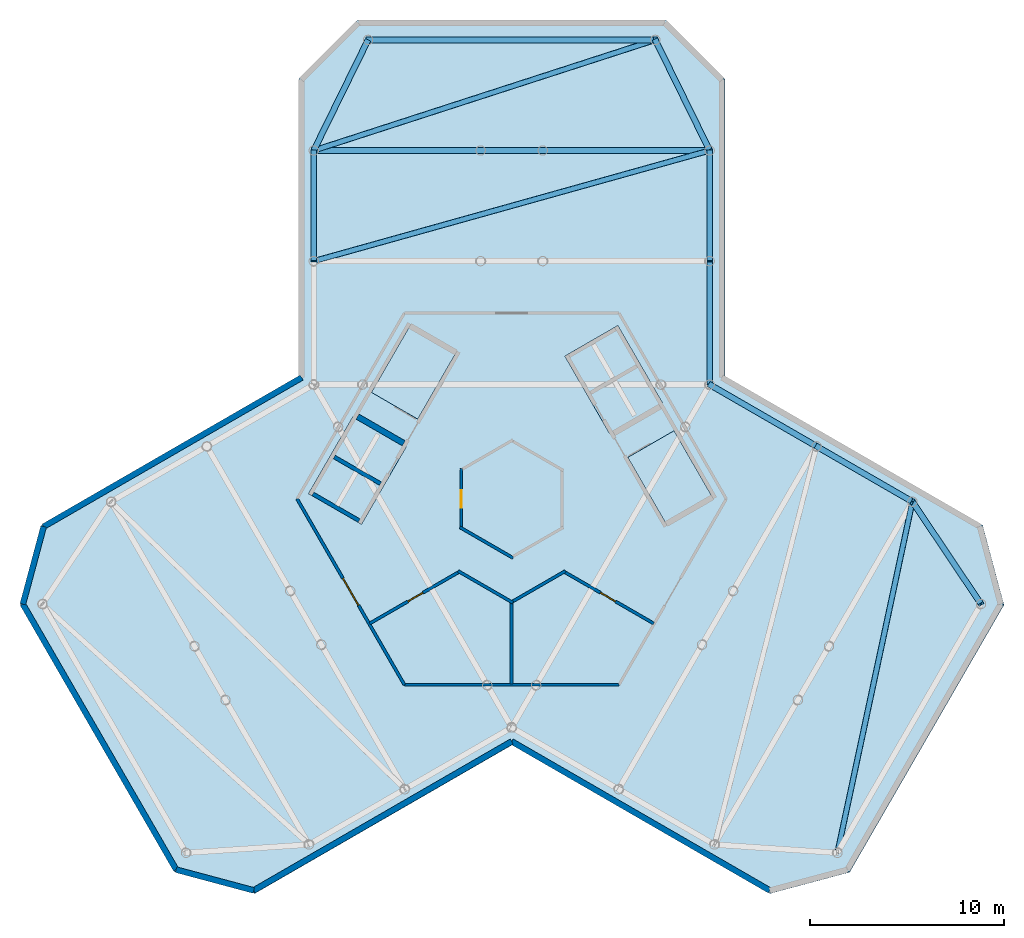
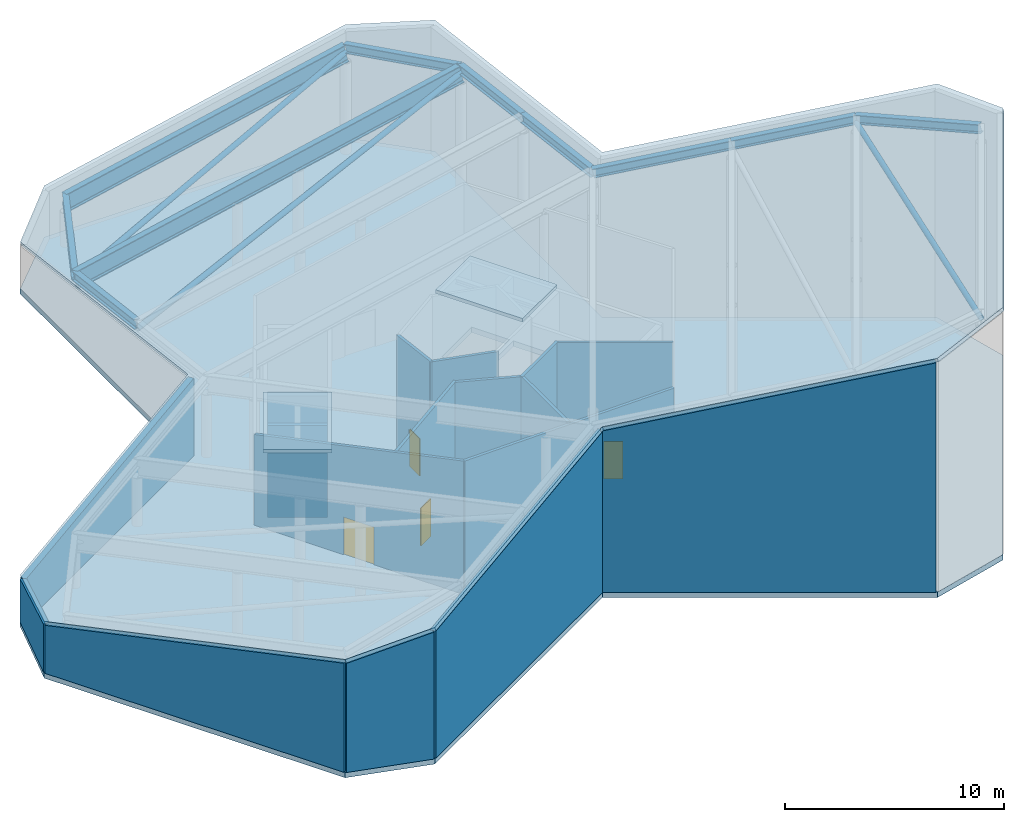
# One storey, part 2 of 5: 18 walls, 10 beams, 4 doors, 4 slabs, 3 members, 4 openings.
"""IFC4 building model written with IfcOpenShell, lengths in metres."""

import ifcopenshell
import ifcopenshell.guid

model = None  # the IFC model being written
_history = None  # IfcOwnerHistory: only IFC2X3 demands one
_inside = {}  # id of a spatial element -> (the spatial element, [elements in it])
_under = {}  # id of a project, library or spatial element -> (it, [spatial elements below it])
_declared = {}  # id of a project -> (the project, [libraries it declares])
_typed = {}  # id of a type object -> (the type object, [elements of that type])
_made_of = {}  # id of a material, layer set ... -> (it, [elements and type objects made of it])


def new_model(schema):
    """Start an empty IFC model of exactly this schema.

    Asked for "IFC4X3", IfcOpenShell would pick the latest addendum, in which some entities
    have other attributes; the version numbers below select the first issue.
    IFC2X3 requires an IfcOwnerHistory on every rooted entity: one is made here for all.
    """
    global model, _history
    if schema == "IFC4X3":
        model = ifcopenshell.file(schema_version=(4, 3, 0, 0))
    else:
        model = ifcopenshell.file(schema=schema)
    _inside.clear()
    _under.clear()
    _declared.clear()
    _typed.clear()
    _made_of.clear()
    _history = None
    if model.schema == "IFC2X3":
        org = make("IfcOrganization", Name="unknown")
        user = make(
            "IfcPersonAndOrganization",
            ThePerson=make("IfcPerson", FamilyName="unknown"),
            TheOrganization=org,
        )
        app = make(
            "IfcApplication",
            ApplicationDeveloper=org,
            Version="unknown",
            ApplicationFullName="unknown",
            ApplicationIdentifier="unknown",
        )
        _history = make(
            "IfcOwnerHistory",
            OwningUser=user,
            OwningApplication=app,
            ChangeAction="ADDED",
            CreationDate=0,
        )
    return model


def make(cls, **values):
    """One entity of the class cls with the attributes given. An attribute that is None is left unset."""
    return model.create_entity(
        cls, **{name: value for name, value in values.items() if value is not None}
    )


def rooted(cls, **values):
    """An entity with a GlobalId (a new one), such as an element, a storey or a relation."""
    return make(cls, GlobalId=ifcopenshell.guid.new(), OwnerHistory=_history, **values)


def si_unit(unit_type, name, prefix=None):
    """IfcSIUnit, for example si_unit("LENGTHUNIT", "METRE", prefix="MILLI")."""
    return make("IfcSIUnit", UnitType=unit_type, Prefix=prefix, Name=name)


def assignment(units):
    """IfcUnitAssignment: the units of a project."""
    return None if units is None else make("IfcUnitAssignment", Units=units)


def point(xyz):
    """IfcCartesianPoint."""
    return None if xyz is None else make("IfcCartesianPoint", Coordinates=xyz)


def direction(xyz):
    """IfcDirection."""
    return None if xyz is None else make("IfcDirection", DirectionRatios=xyz)


def frame(location, z_axis=None, x_axis=None):
    """IfcAxis2Placement3D, a coordinate frame: its origin and axes. An axis left out is left unset."""
    return make(
        "IfcAxis2Placement3D",
        Location=point(location),
        Axis=direction(z_axis),
        RefDirection=direction(x_axis),
    )


def frame_2d(location, x_axis=None):
    """IfcAxis2Placement2D, a coordinate frame in the plane: its origin and x axis."""
    return make(
        "IfcAxis2Placement2D", Location=point(location), RefDirection=direction(x_axis)
    )


def origin():
    """The frame at (0, 0, 0) with its axes left unset."""
    return frame((0.0, 0.0, 0.0))


def origin_2d():
    """The frame at (0, 0) in the plane with its x axis left unset."""
    return frame_2d((0.0, 0.0))


def place(relative_to, where):
    """IfcLocalPlacement: puts the frame where relative to a parent placement (None: the world)."""
    return make(
        "IfcLocalPlacement", PlacementRelTo=relative_to, RelativePlacement=where
    )


def context(
    kind, dimensions, precision=None, world=None, true_north=None, identifier=None
):
    """IfcGeometricRepresentationContext, for example the 3D "Model" context."""
    return make(
        "IfcGeometricRepresentationContext",
        ContextIdentifier=identifier,
        ContextType=kind,
        CoordinateSpaceDimension=dimensions,
        Precision=precision,
        WorldCoordinateSystem=world,
        TrueNorth=true_north,
    )


def subcontext(parent, identifier, kind, view, scale=None):
    """IfcGeometricRepresentationSubContext, for example "Body" below "Model"."""
    return make(
        "IfcGeometricRepresentationSubContext",
        ContextIdentifier=identifier,
        ContextType=kind,
        ParentContext=parent,
        TargetScale=scale,
        TargetView=view,
    )


def project(units=None, contexts=None):
    """IfcProject with its units and contexts."""
    return rooted(
        "IfcProject",
        Name="project",
        RepresentationContexts=contexts,
        UnitsInContext=assignment(units),
    )


def spatial(cls, under=None, at=None, **own):
    """A site, building, storey or space (cls), placed at a placement, below another one or the project."""
    s = rooted(cls, ObjectPlacement=at, **own)
    if under is not None:
        _under.setdefault(under.id(), (under, []))[1].append(s)
    return s


def polyline(points):
    """IfcPolyline through the points."""
    return make("IfcPolyline", Points=[point(p) for p in points])


def profile(cls, at=None, kind="AREA", **sizes):
    """A parametric profile (cls). Its sizes go by their IFC names, for example OverallWidth=200.0."""
    return make(cls, ProfileType=kind, Position=at, **sizes)


def rectangle(**sizes):
    """IfcRectangleProfileDef."""
    return profile("IfcRectangleProfileDef", **sizes)


def hollow_circle(**sizes):
    """IfcCircleHollowProfileDef."""
    return profile("IfcCircleHollowProfileDef", **sizes)


def i_section(**sizes):
    """IfcIShapeProfileDef."""
    return profile("IfcIShapeProfileDef", **sizes)


def outline(outer, holes=None, kind="AREA"):
    """IfcArbitraryClosedProfileDef: a profile drawn as a closed curve; with holes, ...WithVoids."""
    if holes is None:
        return make("IfcArbitraryClosedProfileDef", ProfileType=kind, OuterCurve=outer)
    return make(
        "IfcArbitraryProfileDefWithVoids",
        ProfileType=kind,
        OuterCurve=outer,
        InnerCurves=holes,
    )


def extrude(swept, where, along, depth):
    """IfcExtrudedAreaSolid: the profile swept, set in the frame where, extruded along a direction by depth."""
    return make(
        "IfcExtrudedAreaSolid",
        SweptArea=swept,
        Position=where,
        ExtrudedDirection=direction(along),
        Depth=depth,
    )


def shape(context_of_items, identifier, shape_type, items):
    """IfcShapeRepresentation: the items that make up one representation, for example the "Body"."""
    return make(
        "IfcShapeRepresentation",
        ContextOfItems=context_of_items,
        RepresentationIdentifier=identifier,
        RepresentationType=shape_type,
        Items=items,
    )


def material(Name=None, Category=None):
    """IfcMaterial."""
    return make("IfcMaterial", Name=Name, Category=Category)


def layer(
    of_material, thickness, ventilated=None, Name=None, Category=None, Priority=None
):
    """IfcMaterialLayer: one layer of a wall or slab, of a material (None: an air gap)."""
    return make(
        "IfcMaterialLayer",
        Material=of_material,
        LayerThickness=thickness,
        IsVentilated=ventilated,
        Name=Name,
        Category=Category,
        Priority=Priority,
    )


def layer_set(layers, Name=None):
    """IfcMaterialLayerSet."""
    return make("IfcMaterialLayerSet", MaterialLayers=layers, LayerSetName=Name)


def material_profile(
    of_material, cross_section, Name=None, Category=None, Priority=None
):
    """IfcMaterialProfile: a cross section and its material."""
    return make(
        "IfcMaterialProfile",
        Name=Name,
        Material=of_material,
        Profile=cross_section,
        Priority=Priority,
        Category=Category,
    )


def profile_set(profiles, Name=None, composite=None):
    """IfcMaterialProfileSet."""
    return make(
        "IfcMaterialProfileSet",
        Name=Name,
        MaterialProfiles=profiles,
        CompositeProfile=composite,
    )


def made_of(thing, what):
    """Note that an element or type object is made of a material, layer set ...; save() writes the relation."""
    if what is not None:
        _made_of.setdefault(what.id(), (what, []))[1].append(thing)
    return thing


def type_object(cls, material=None, **own):
    """A type object (cls), such as IfcWallType, which elements share."""
    return made_of(rooted(cls, **own), material)


def element(
    cls,
    number,
    at=None,
    inside=None,
    cuts=None,
    type_object=None,
    material=None,
    context=None,
    identifier="Body",
    shape_type=None,
    held_by="IfcProductDefinitionShape",
    body=None,
    shapes=None,
    **own,
):
    """One element of the class cls, such as IfcWall. Its Tag is "e" and its number.

    at: its placement. inside: the storey or other place that contains it. cuts: it is an
    opening in that element (IfcRelVoidsElement). A single representation is given by context,
    identifier, shape_type and body (its items); several are given by shapes. held_by: the class
    of the entity that holds the representations. save() writes the other relations.
    """
    e = rooted(cls, Tag="e%d" % number, ObjectPlacement=at, **own)
    if body is not None:
        shapes = [shape(context, identifier, shape_type, body)]
    if shapes is not None:
        e.Representation = make(held_by, Representations=shapes)
    if inside is not None:
        _inside.setdefault(inside.id(), (inside, []))[1].append(e)
    if cuts is not None:
        rooted(
            "IfcRelVoidsElement", RelatingBuildingElement=cuts, RelatedOpeningElement=e
        )
    if type_object is not None:
        _typed.setdefault(type_object.id(), (type_object, []))[1].append(e)
    return made_of(e, material)


def fill(opening, filler):
    """IfcRelFillsElement: the door or window that sits in an opening."""
    return rooted(
        "IfcRelFillsElement",
        RelatingOpeningElement=opening,
        RelatedBuildingElement=filler,
    )


def aggregate(whole, parts):
    """IfcRelAggregates: a whole, such as a stair, and the parts it consists of."""
    return rooted("IfcRelAggregates", RelatingObject=whole, RelatedObjects=parts)


def save(model, path):
    """Write the relations noted so far, then the file.

    IfcRelAggregates (storeys below a building ...), IfcRelContainedInSpatialStructure (elements
    in a storey), IfcRelDefinesByType, IfcRelAssociatesMaterial and IfcRelDeclares: one each for
    every whole, place, type object, material and project.
    """
    for whole, parts in _under.values():
        aggregate(whole, parts)
    for where, things in _inside.values():
        rooted(
            "IfcRelContainedInSpatialStructure",
            RelatedElements=things,
            RelatingStructure=where,
        )
    for kind, things in _typed.values():
        rooted("IfcRelDefinesByType", RelatedObjects=things, RelatingType=kind)
    for what, things in _made_of.values():
        rooted("IfcRelAssociatesMaterial", RelatedObjects=things, RelatingMaterial=what)
    for by, libraries in _declared.values():
        rooted("IfcRelDeclares", RelatingContext=by, RelatedDefinitions=libraries)
    model.write(path)


model = new_model("IFC4")

# Units and contexts
model_context = context("Model", 3, precision=1e-05, world=origin(), true_north=direction((0.0, 1.0)))
body_context = subcontext(model_context, "Body", "Model", "MODEL_VIEW")
ifc_project = project(units=[si_unit("LENGTHUNIT", "METRE"), si_unit("AREAUNIT", "SQUARE_METRE"), si_unit("VOLUMEUNIT", "CUBIC_METRE"), si_unit("PLANEANGLEUNIT", "RADIAN"), si_unit("MASSUNIT", "GRAM", prefix="KILO")], contexts=[model_context])

# Site, building, storey
site_placement = place(None, origin())
site = spatial("IfcSite", under=ifc_project, at=site_placement, CompositionType="ELEMENT")
building_placement = place(site_placement, origin())
building = spatial("IfcBuilding", under=site, at=building_placement, Name="Kosmar Iwan School Tower", CompositionType="ELEMENT")
storey_placement = place(building_placement, frame((0.0, 0.0, 301.0)))
storey = spatial("IfcBuildingStorey", under=building, at=storey_placement, Name="RF", CompositionType="ELEMENT", Elevation=301.0)

# Beams
ifc_material_1 = material(Name="Steel S355", Category="steel")
ifc_material_profile_1 = material_profile(ifc_material_1, i_section(OverallWidth=0.302001953125, OverallDepth=1.008056640625, WebThickness=0.02099609375, FlangeThickness=0.0400390625, FilletRadius=0.030029296875, at=origin_2d()), Name="HE 1000 M")
ifc_profile_set_1 = profile_set([ifc_material_profile_1], Name="Steel S355")
beam_type_1 = type_object("IfcBeamType", Name="Crown rafter HE 1000 M", PredefinedType="BEAM", material=ifc_profile_set_1)
beam_1_placement = place(storey_placement, frame((-10.199951171875, 17.949951171875, 2.4931640625), z_axis=(0.977473556305, 0.0, 0.211057922675), x_axis=(0.0, 1.0, 0.0)))
element("IfcBeam", 1, at=beam_1_placement, inside=storey, type_object=beam_type_1, Name="Crown rafter AL2-AR2", PredefinedType="BEAM", context=body_context, shape_type="SweptSolid", body=[
    extrude(i_section(OverallWidth=0.302001953125, OverallDepth=1.008056640625, WebThickness=0.02099609375, FlangeThickness=0.0400390625, FilletRadius=0.030029296875, at=origin_2d()), origin(), (0.0, 0.0, 1.0), 20.8701171875),
])
beam_2_placement = place(storey_placement, frame((-7.39990234375, 23.64990234375, 2.386962890625), z_axis=(0.977470841889, 0.0, 0.211070493572), x_axis=(0.0, 1.0, 0.0)))
element("IfcBeam", 2, at=beam_2_placement, inside=storey, type_object=beam_type_1, Name="Crown rafter ALTIP-ARTIP", PredefinedType="BEAM", context=body_context, shape_type="SweptSolid", body=[
    extrude(i_section(OverallWidth=0.302001953125, OverallDepth=1.008056640625, WebThickness=0.02099609375, FlangeThickness=0.0400390625, FilletRadius=0.030029296875, at=origin_2d()), origin(), (0.0, 0.0, 1.0), 15.140869140625),
])

# Members
ifc_material_2 = material(Name="Steel S355", Category="steel")
ifc_material_profile_2 = material_profile(ifc_material_2, hollow_circle(Radius=0.136474609375, WallThickness=0.010009765625, at=origin_2d()), Name="CHS 273.0x10")
ifc_profile_set_2 = profile_set([ifc_material_profile_2], Name="Steel S355")
member_type = type_object("IfcMemberType", Name="Crown roof brace CHS 273.0x10", PredefinedType="BRACE", material=ifc_profile_set_2)
member_1_placement = place(storey_placement, frame((-10.199951171875, 12.25, 3.20361328125), z_axis=(0.948787946359, 0.265101512526, 0.171821479742), x_axis=(-0.269103593481, 0.963111237592, 0.0)))
element("IfcMember", 3, at=member_1_placement, inside=storey, type_object=member_type, Name="Crown roof brace AL1-AR2", PredefinedType="BRACE", context=body_context, shape_type="SweptSolid", body=[
    extrude(hollow_circle(Radius=0.136474609375, WallThickness=0.010009765625, at=origin_2d()), origin(), (0.0, 0.0, 1.0), 21.5009765625),
])
member_2_placement = place(storey_placement, frame((-10.199951171875, 17.949951171875, 2.4931640625), z_axis=(0.938355409391, 0.303899121129, 0.164725377046), x_axis=(-0.308108040244, 0.95135137333, 0.0)))
element("IfcMember", 4, at=member_2_placement, inside=storey, type_object=member_type, Name="Crown roof brace AL2-ARTIP", PredefinedType="BRACE", context=body_context, shape_type="SweptSolid", body=[
    extrude(hollow_circle(Radius=0.136474609375, WallThickness=0.010009765625, at=origin_2d()), origin(), (0.0, 0.0, 1.0), 18.756103515625),
])
member_3_placement = place(storey_placement, frame((20.645263671875, -0.1416015625, 11.40869140625), z_axis=(-0.208238692647, -0.975074454609, 0.076592785916), x_axis=(0.977947215632, -0.208852204771, 0.0)))
element("IfcMember", 5, at=member_3_placement, inside=storey, type_object=member_type, Name="Crown roof brace CL2-CRTIP", PredefinedType="BRACE", context=body_context, shape_type="SweptSolid", body=[
    extrude(hollow_circle(Radius=0.136474609375, WallThickness=0.010009765625, at=origin_2d()), origin(), (0.0, 0.0, 1.0), 18.554443359375),
])

# Beams
ifc_material_3 = material(Name="Steel S355", Category="steel")
ifc_material_profile_3 = material_profile(ifc_material_3, i_section(OverallWidth=0.300048828125, OverallDepth=0.5, WebThickness=0.014404296875, FlangeThickness=0.028076171875, FilletRadius=0.027099609375, at=origin_2d()), Name="HE 500 B")
ifc_profile_set_3 = profile_set([ifc_material_profile_3], Name="Steel S355")
beam_type_2 = type_object("IfcBeamType", Name="Crown tip rafter HE 500 B", PredefinedType="BEAM", material=ifc_profile_set_3)
beam_3_placement = place(storey_placement, frame((-10.199951171875, 12.25, 3.457763671875), z_axis=(0.0, 0.992316408317, -0.123726091772), x_axis=(-1.0, 0.0, 0.0)))
element("IfcBeam", 6, at=beam_3_placement, inside=storey, type_object=beam_type_2, Name="Crown rafter AL1-AL2", PredefinedType="BEAM", context=body_context, shape_type="SweptSolid", body=[
    extrude(i_section(OverallWidth=0.300048828125, OverallDepth=0.5, WebThickness=0.014404296875, FlangeThickness=0.028076171875, FilletRadius=0.027099609375, at=origin_2d()), origin(), (0.0, 0.0, 1.0), 5.744140625),
])
beam_4_placement = place(storey_placement, frame((-10.199951171875, 17.949951171875, 2.7470703125), z_axis=(0.440851759089, 0.897424886168, -0.016682331803), x_axis=(-0.897549788999, 0.440913116462, 0.0)))
element("IfcBeam", 7, at=beam_4_placement, inside=storey, type_object=beam_type_2, Name="Crown rafter AL2-ALTIP", PredefinedType="BEAM", context=body_context, shape_type="SweptSolid", body=[
    extrude(i_section(OverallWidth=0.300048828125, OverallDepth=0.5, WebThickness=0.014404296875, FlangeThickness=0.028076171875, FilletRadius=0.027099609375, at=origin_2d()), origin(), (0.0, 0.0, 1.0), 6.3515625),
])
beam_5_placement = place(storey_placement, frame((10.199951171875, 5.888916015625, 8.655517578125), z_axis=(0.0, 0.992319422058, -0.123701918359), x_axis=(-1.0, 0.0, 0.0)))
element("IfcBeam", 8, at=beam_5_placement, inside=storey, type_object=beam_type_2, Name="Crown rafter RAC-AR1", PredefinedType="BEAM", context=body_context, shape_type="SweptSolid", body=[
    extrude(i_section(OverallWidth=0.300048828125, OverallDepth=0.5, WebThickness=0.014404296875, FlangeThickness=0.028076171875, FilletRadius=0.027099609375, at=origin_2d()), origin(), (0.0, 0.0, 1.0), 6.410400390625),
])
beam_6_placement = place(storey_placement, frame((10.199951171875, 12.25, 7.862548828125), z_axis=(0.0, 0.992316408317, -0.123726091772), x_axis=(-1.0, 0.0, 0.0)))
element("IfcBeam", 9, at=beam_6_placement, inside=storey, type_object=beam_type_2, Name="Crown rafter AR1-AR2", PredefinedType="BEAM", context=body_context, shape_type="SweptSolid", body=[
    extrude(i_section(OverallWidth=0.300048828125, OverallDepth=0.5, WebThickness=0.014404296875, FlangeThickness=0.028076171875, FilletRadius=0.027099609375, at=origin_2d()), origin(), (0.0, 0.0, 1.0), 5.744140625),
])
beam_7_placement = place(storey_placement, frame((10.199951171875, 17.949951171875, 7.15185546875), z_axis=(-0.431751558893, 0.878899960369, -0.202794110015), x_axis=(-0.897549788999, -0.440913116462, 0.0)))
element("IfcBeam", 10, at=beam_7_placement, inside=storey, type_object=beam_type_2, Name="Crown rafter AR2-ARTIP", PredefinedType="BEAM", context=body_context, shape_type="SweptSolid", body=[
    extrude(i_section(OverallWidth=0.300048828125, OverallDepth=0.5, WebThickness=0.014404296875, FlangeThickness=0.028076171875, FilletRadius=0.027099609375, at=origin_2d()), origin(), (0.0, 0.0, 1.0), 6.4853515625),
])
beam_8_placement = place(storey_placement, frame((10.199951171875, 5.888916015625, 8.655517578125), z_axis=(0.840306969717, -0.48513911073, 0.241917837054), x_axis=(0.49999045822, 0.866030912664, 0.0)))
element("IfcBeam", 11, at=beam_8_placement, inside=storey, type_object=beam_type_2, Name="Crown rafter RAC-CL1", PredefinedType="BEAM", context=body_context, shape_type="SweptSolid", body=[
    extrude(i_section(OverallWidth=0.300048828125, OverallDepth=0.5, WebThickness=0.014404296875, FlangeThickness=0.028076171875, FilletRadius=0.027099609375, at=origin_2d()), origin(), (0.0, 0.0, 1.0), 6.5556640625),
])
beam_9_placement = place(storey_placement, frame((15.708740234375, 2.70849609375, 10.241455078125), z_axis=(0.84030384357, -0.485148717598, 0.241909429942), x_axis=(0.499999279071, 0.866025820012, 0.0)))
element("IfcBeam", 12, at=beam_9_placement, inside=storey, type_object=beam_type_2, Name="Crown rafter CL1-CL2", PredefinedType="BEAM", context=body_context, shape_type="SweptSolid", body=[
    extrude(i_section(OverallWidth=0.300048828125, OverallDepth=0.5, WebThickness=0.014404296875, FlangeThickness=0.028076171875, FilletRadius=0.027099609375, at=origin_2d()), origin(), (0.0, 0.0, 1.0), 5.874755859375),
])
beam_10_placement = place(storey_placement, frame((20.645263671875, -0.1416015625, 11.66259765625), z_axis=(0.543387537872, -0.810579338805, 0.218382964509), x_axis=(0.83062808721, 0.556827604145, 0.0)))
element("IfcBeam", 13, at=beam_10_placement, inside=storey, type_object=beam_type_2, Name="Crown rafter CL2-CLTIP", PredefinedType="BEAM", context=body_context, shape_type="SweptSolid", body=[
    extrude(i_section(OverallWidth=0.300048828125, OverallDepth=0.5, WebThickness=0.014404296875, FlangeThickness=0.028076171875, FilletRadius=0.027099609375, at=origin_2d()), origin(), (0.0, 0.0, 1.0), 6.507568359375),
])

# Slabs
ifc_material_4 = material(Name="Concrete C35/45", Category="concrete")
ifc_layer_1 = layer(ifc_material_4, 0.199951171875)
ifc_layer_set_1 = layer_set([ifc_layer_1], Name="Crown roof deck 200")
slab_type_1 = type_object("IfcSlabType", Name="Crown roof deck 200", PredefinedType="ROOF", material=ifc_layer_set_1)
slab_1_placement = place(storey_placement, frame((-13.2744140625, -20.307861328125, 7.328857421875), z_axis=(-0.20951179543, 0.120961600813, 0.970295366733), x_axis=(0.859376265274, 0.496153818039, 0.123708623501)))
element("IfcSlab", 14, at=slab_1_placement, inside=storey, type_object=slab_type_1, Name="Crown sloped roof", PredefinedType="ROOF", context=body_context, shape_type="SweptSolid", body=[
    extrude(outline(polyline([(0.0, 0.0), (15.446512325457892, 3.3306690738754696e-16), (23.524582780954276, -13.575527257650831), (27.683698242629717, -14.698695352806016), (41.34762422342732, -6.56816248375542), (42.34467508426543, -2.3769605418934403), (34.26672576007228, 11.198776619864885), (41.63534916593835, 24.77441226716717), (40.41925499367237, 28.965538969644918), (26.330551547402056, 37.09582450553861), (22.23010451842286, 35.97277695835392), (14.861481112556795, 22.397141311051627), (-0.5851523442043284, 22.396931406944134), (-3.528324967217679, 19.3288136527421), (-3.10354750174498, 3.06799524779781), (0.0, 0.0)])), origin(), (0.0, 0.0, -1.0), 0.199951171875),
])
ifc_material_5 = material(Name="Concrete C35/45", Category="concrete")
ifc_layer_2 = layer(ifc_material_5, 0.199951171875)
ifc_layer_set_2 = layer_set([ifc_layer_2], Name="Lift shaft head slab 200")
slab_type_2 = type_object("IfcSlabType", Name="Lift shaft head slab 200", PredefinedType="FLOOR", material=ifc_layer_set_2)
slab_2_placement = place(storey_placement, frame((0.0, 0.0, 3.60009765625)))
element("IfcSlab", 15, at=slab_2_placement, inside=storey, type_object=slab_type_2, Name="Lift shaft cap AB", PredefinedType="FLOOR", context=body_context, shape_type="SweptSolid", body=[
    extrude(outline(polyline([(-5.439453125, 2.6787109375), (-8.16748046875, 4.253662109375), (-10.467529296875, 0.269775390625), (-7.739501953125, -1.30517578125), (-5.439453125, 2.6787109375)])), origin(), (0.0, 0.0, 1.0), 0.199951171875),
])
slab_3_placement = place(storey_placement, frame((0.0, 0.0, 3.60009765625)))
element("IfcSlab", 16, at=slab_3_placement, inside=storey, type_object=slab_type_2, Name="Lift shaft cap AC", PredefinedType="FLOOR", context=body_context, shape_type="SweptSolid", body=[
    extrude(outline(polyline([(5.03955078125, 3.371337890625), (7.767333984375, 4.9462890625), (5.467529296875, 8.93017578125), (2.739501953125, 7.355224609375), (5.03955078125, 3.371337890625)])), origin(), (0.0, 0.0, 1.0), 0.199951171875),
])
ifc_material_6 = material(Name="Concrete C35/45", Category="concrete")
ifc_layer_3 = layer(ifc_material_6, 0.300048828125)
ifc_layer_set_3 = layer_set([ifc_layer_3], Name="Plant floor slab 300")
slab_type_3 = type_object("IfcSlabType", Name="Plant floor slab 300", PredefinedType="FLOOR", material=ifc_layer_set_3)
slab_4_placement = place(storey_placement, frame((0.0, 0.0, -0.300048828125)))
element("IfcSlab", 17, at=slab_4_placement, inside=storey, type_object=slab_type_3, Name="RF floor slab", PredefinedType="FLOOR", context=body_context, shape_type="SweptSolid", body=[
    extrude(outline(polyline([(-13.2744140625, -20.307861328125), (0.0, -12.64404296875), (13.2744140625, -20.307861328125), (17.37255859375, -19.2099609375), (25.322509765625, -5.440185546875), (24.224365234375, -1.342041015625), (10.949951171875, 6.322021484375), (10.949951171875, 21.64990234375), (7.949951171875, 24.64990234375), (-7.949951171875, 24.64990234375), (-10.949951171875, 21.64990234375), (-10.949951171875, 6.322021484375), (-24.224365234375, -1.342041015625), (-25.322509765625, -5.440185546875), (-17.37255859375, -19.2099609375), (-13.2744140625, -20.307861328125)]), holes=[polyline([(7.91259765625, -1.205078125), (10.294189453125, 0.169921875), (8.3642578125, 3.5126953125), (5.982666015625, 2.1376953125), (7.91259765625, -1.205078125)]), polyline([(-2.91259765625, 7.455078125), (-5.294189453125, 8.830078125), (-7.22412109375, 5.4873046875), (-4.8427734375, 4.1123046875), (-2.91259765625, 7.455078125)]), polyline([(-5.712646484375, 2.60546875), (-8.09423828125, 3.98046875), (-9.09423828125, 2.248291015625), (-6.712646484375, 0.873291015625), (-5.712646484375, 2.60546875)]), polyline([(-6.812744140625, 0.7001953125), (-9.1943359375, 2.0751953125), (-10.1943359375, 0.343017578125), (-7.812744140625, -1.031982421875), (-6.812744140625, 0.7001953125)]), polyline([(5.112548828125, 3.64453125), (7.494140625, 5.01953125), (6.494140625, 6.751708984375), (4.112548828125, 5.376708984375), (5.112548828125, 3.64453125)]), polyline([(4.0126953125, 5.5498046875), (6.394287109375, 6.9248046875), (5.394287109375, 8.656982421875), (3.0126953125, 7.281982421875), (4.0126953125, 5.5498046875)])]), origin(), (0.0, 0.0, 1.0), 0.300048828125),
])

# Wall, opening, door
ifc_material_7 = material(Name="Gypsum board on steel studs, fire-rated", Category="steel")
ifc_layer_4 = layer(ifc_material_7, 0.14990234375)
ifc_layer_set_4 = layer_set([ifc_layer_4], Name="Core room partition 150")
wall_type_1 = type_object("IfcWallType", Name="Core room partition 150", PredefinedType="PARTITIONING", material=ifc_layer_set_4)
wall_1_placement = place(storey_placement, frame((-11.05615234375, 0.0, 0.0), z_axis=(0.0, 0.0, 1.0), x_axis=(0.49999834043, -0.866026361936, 0.0)))
wall_1 = element("IfcWall", 18, at=wall_1_placement, inside=storey, type_object=wall_type_1, Name="Core room partition RF-CP4", PredefinedType="PARTITIONING", context=body_context, shape_type="SweptSolid", body=[
    extrude(outline(polyline([(0.0, 0.0), (11.05615234375, 0.0), (11.05615234375, 7.443359375), (0.0, 5.05615234375), (0.0, 0.0)])), frame((0.0, 0.074951171875, 0.0), z_axis=(0.0, -1.0, 0.0), x_axis=(1.0, 0.0, 0.0)), (0.0, 0.0, 1.0), 0.14990234375),
])
opening_1_placement = place(wall_1_placement, frame((4.72802734375, 0.0, 0.0)))
opening_1 = element("IfcOpeningElement", 19, at=opening_1_placement, cuts=wall_1, Name="Opening D17", PredefinedType="OPENING", context=body_context, shape_type="SweptSolid", body=[
    extrude(rectangle(XDim=1.60009765625, YDim=2.10009765625, at=frame_2d((0.800048828125, 1.050048828125))), frame((0.0, 0.0869140625, 0.0), z_axis=(0.0, -1.0, 0.0), x_axis=(1.0, 0.0, 0.0)), (0.0, 0.0, 1.0), 0.173828125),
])
ifc_material_8 = material(Name="Steel fire door", Category="steel")
door_type_1 = type_object("IfcDoorType", Name="Crown plant room door pair 1600x2100", OperationType="DOUBLE_DOOR_SINGLE_SWING", PredefinedType="DOOR", material=ifc_material_8)
door_1_placement = place(opening_1_placement, origin())
door_1 = element("IfcDoor", 20, at=door_1_placement, inside=storey, type_object=door_type_1, Name="Crown plant room doors 4", OperationType="DOUBLE_DOOR_SINGLE_SWING", OverallHeight=2.10009765625, OverallWidth=1.60009765625, PredefinedType="DOOR", context=body_context, shape_type="SweptSolid", body=[
    extrude(rectangle(XDim=1.60009765625, YDim=2.10009765625, at=frame_2d((0.800048828125, 1.050048828125))), frame((0.0, 0.02490234375, 0.0), z_axis=(0.0, -1.0, 0.0), x_axis=(1.0, 0.0, 0.0)), (0.0, 0.0, 1.0), 0.050048828125),
])
fill(opening_1, door_1)

# Walls
wall_2_placement = place(storey_placement, frame((-5.528076171875, -9.574951171875, 0.0), z_axis=(0.0, 0.0, 1.0), x_axis=(1.0, 0.0, 0.0)))
element("IfcWall", 21, at=wall_2_placement, inside=storey, type_object=wall_type_1, Name="Core room partition RF-CP5", PredefinedType="PARTITIONING", context=body_context, shape_type="SweptSolid", body=[
    extrude(outline(polyline([(0.0, 0.0), (11.05615234375, 0.0), (11.05615234375, 7.64990234375), (0.0, 7.443359375), (0.0, 0.0)])), frame((0.0, 0.074951171875, 0.0), z_axis=(0.0, -1.0, 0.0), x_axis=(1.0, 0.0, 0.0)), (0.0, 0.0, 1.0), 0.14990234375),
])
wall_3_placement = place(storey_placement, frame((-2.764892578125, -3.71533203125, 0.0), z_axis=(0.0, 0.0, 1.0), x_axis=(0.866027570447, -0.499996247212, 0.0)))
element("IfcWall", 22, at=wall_3_placement, inside=storey, type_object=wall_type_1, Name="Core room partition RF-CW1", PredefinedType="PARTITIONING", context=body_context, shape_type="SweptSolid", body=[
    extrude(outline(polyline([(0.0, 0.0), (3.267578125, 0.0), (3.267578125, 7.64990234375), (0.0, 7.3095703125), (0.0, 0.0)])), frame((0.0, 0.074951171875, 0.0), z_axis=(0.0, -1.0, 0.0), x_axis=(1.0, 0.0, 0.0)), (0.0, 0.0, 1.0), 0.14990234375),
])
wall_4_placement = place(storey_placement, frame((0.0, -5.236572265625, 0.0), z_axis=(0.0, 0.0, 1.0), x_axis=(0.0, -1.0, 0.0)))
element("IfcWall", 23, at=wall_4_placement, inside=storey, type_object=wall_type_1, Name="Core room partition RF-CW2", PredefinedType="PARTITIONING", context=body_context, shape_type="SweptSolid", body=[
    extrude(rectangle(XDim=4.29833984375, YDim=0.14990234375, at=frame_2d((2.149169921875, 0.0))), origin(), (0.0, 0.0, 1.0), 7.64990234375),
])

# Wall, opening, door
wall_5_placement = place(storey_placement, frame((-7.316162109375, -6.41796875, 0.0), z_axis=(0.0, 0.0, 1.0), x_axis=(0.866027634565, 0.499996136155, 0.0)))
wall_5 = element("IfcWall", 24, at=wall_5_placement, inside=storey, type_object=wall_type_1, Name="Core room partition RF-CW3", PredefinedType="PARTITIONING", context=body_context, shape_type="SweptSolid", body=[
    extrude(outline(polyline([(0.0, 0.0), (5.4052734375, 0.0), (5.4052734375, 7.337646484375), (0.0, 6.66357421875), (0.0, 0.0)])), frame((0.0, 0.074951171875, 0.0), z_axis=(0.0, -1.0, 0.0), x_axis=(1.0, 0.0, 0.0)), (0.0, 0.0, 1.0), 0.14990234375),
])
opening_2_placement = place(wall_5_placement, frame((2.26806640625, 0.0, 0.0)))
opening_2 = element("IfcOpeningElement", 25, at=opening_2_placement, cuts=wall_5, Name="Opening D14", PredefinedType="OPENING", context=body_context, shape_type="SweptSolid", body=[
    extrude(rectangle(XDim=0.89990234375, YDim=2.10009765625, at=frame_2d((0.449951171875, 1.050048828125))), frame((0.0, 0.0869140625, 0.0), z_axis=(0.0, -1.0, 0.0), x_axis=(1.0, 0.0, 0.0)), (0.0, 0.0, 1.0), 0.173828125),
])
ifc_material_9 = material(Name="Timber fire door in steel frame", Category="steel")
door_type_2 = type_object("IfcDoorType", Name="Core room door 900x2100", OperationType="SINGLE_SWING_LEFT", PredefinedType="DOOR", material=ifc_material_9)
door_2_placement = place(opening_2_placement, origin())
door_2 = element("IfcDoor", 26, at=door_2_placement, inside=storey, type_object=door_type_2, Name="Plant control room door RF 1", OperationType="SINGLE_SWING_RIGHT", OverallHeight=2.10009765625, OverallWidth=0.89990234375, PredefinedType="DOOR", context=body_context, shape_type="SweptSolid", body=[
    extrude(rectangle(XDim=0.89990234375, YDim=2.10009765625, at=frame_2d((0.449951171875, 1.050048828125))), frame((0.0, 0.02490234375, 0.0), z_axis=(0.0, -1.0, 0.0), x_axis=(1.0, 0.0, 0.0)), (0.0, 0.0, 1.0), 0.050048828125),
])
fill(opening_2, door_2)

wall_6_placement = place(storey_placement, frame((2.635009765625, -3.71533203125, 0.0), z_axis=(0.0, 0.0, 1.0), x_axis=(0.866027634565, -0.499996136155, 0.0)))
wall_6 = element("IfcWall", 27, at=wall_6_placement, inside=storey, type_object=wall_type_1, Name="Core room partition RF-CW4", PredefinedType="PARTITIONING", context=body_context, shape_type="SweptSolid", body=[
    extrude(rectangle(XDim=5.4052734375, YDim=0.14990234375, at=frame_2d((2.70263671875, 0.0))), origin(), (0.0, 0.0, 1.0), 7.64990234375),
])
opening_3_placement = place(wall_6_placement, frame((2.238037109375, 0.0, 0.0)))
opening_3 = element("IfcOpeningElement", 28, at=opening_3_placement, cuts=wall_6, Name="Opening D14", PredefinedType="OPENING", context=body_context, shape_type="SweptSolid", body=[
    extrude(rectangle(XDim=0.89990234375, YDim=2.10009765625, at=frame_2d((0.449951171875, 1.050048828125))), frame((0.0, 0.0869140625, 0.0), z_axis=(0.0, -1.0, 0.0), x_axis=(1.0, 0.0, 0.0)), (0.0, 0.0, 1.0), 0.173828125),
])
door_3_placement = place(opening_3_placement, origin())
door_3 = element("IfcDoor", 29, at=door_3_placement, inside=storey, type_object=door_type_2, Name="Spares store door RF 2", OperationType="SINGLE_SWING_LEFT", OverallHeight=2.10009765625, OverallWidth=0.89990234375, PredefinedType="DOOR", context=body_context, shape_type="SweptSolid", body=[
    extrude(rectangle(XDim=0.89990234375, YDim=2.10009765625, at=frame_2d((0.449951171875, 1.050048828125))), frame((0.0, 0.02490234375, 0.0), z_axis=(0.0, -1.0, 0.0), x_axis=(1.0, 0.0, 0.0)), (0.0, 0.0, 1.0), 0.050048828125),
])
fill(opening_3, door_3)

# Walls
wall_7_placement = place(storey_placement, frame((-0.06494140625, -5.34912109375, 0.0), z_axis=(0.0, 0.0, 1.0), x_axis=(0.866027570447, 0.499996247212, 0.0)))
element("IfcWall", 30, at=wall_7_placement, inside=storey, type_object=wall_type_1, Name="Core room partition RF-CW5", PredefinedType="PARTITIONING", context=body_context, shape_type="SweptSolid", body=[
    extrude(rectangle(XDim=3.267578125, YDim=0.14990234375, at=frame_2d((1.6337890625, 0.0))), origin(), (0.0, 0.0, 1.0), 7.64990234375),
])
wall_8_placement = place(storey_placement, frame((0.06494140625, -3.039794921875, 0.0), z_axis=(0.0, 0.0, 1.0), x_axis=(-0.866023080072, 0.500004024767, 0.0)))
element("IfcWall", 31, at=wall_8_placement, inside=storey, type_object=wall_type_1, Name="Core room partition RF-CW7", PredefinedType="PARTITIONING", context=body_context, shape_type="SweptSolid", body=[
    extrude(outline(polyline([(0.0, 0.0), (3.15234375, 0.0), (3.152099609375, 7.05029296875), (0.0, 7.64990234375), (0.0, 0.0)])), frame((0.0, 0.074951171875, 0.0), z_axis=(0.0, -1.0, 0.0), x_axis=(1.0, 0.0, 0.0)), (0.0, 0.0, 1.0), 0.14990234375),
])

# Wall, opening, door
wall_9_placement = place(storey_placement, frame((-2.60009765625, -1.576171875, 0.0), z_axis=(0.0, 0.0, 1.0), x_axis=(0.0, 1.0, 0.0)))
wall_9 = element("IfcWall", 32, at=wall_9_placement, inside=storey, type_object=wall_type_1, Name="Core room partition RF-CW8", PredefinedType="PARTITIONING", context=body_context, shape_type="SweptSolid", body=[
    extrude(outline(polyline([(0.0, 0.0), (3.15234375, 0.0), (3.15234375, 6.685546875), (0.0, 7.078369140625), (0.0, 0.0)])), frame((0.0, 0.074951171875, 0.0), z_axis=(0.0, -1.0, 0.0), x_axis=(1.0, 0.0, 0.0)), (0.0, 0.0, 1.0), 0.14990234375),
])
opening_4_placement = place(wall_9_placement, frame((1.1259765625, 0.0, 0.0)))
opening_4 = element("IfcOpeningElement", 33, at=opening_4_placement, cuts=wall_9, Name="Opening D14", PredefinedType="OPENING", context=body_context, shape_type="SweptSolid", body=[
    extrude(rectangle(XDim=0.89990234375, YDim=2.10009765625, at=frame_2d((0.449951171875, 1.050048828125))), frame((0.0, 0.0869140625, 0.0), z_axis=(0.0, -1.0, 0.0), x_axis=(1.0, 0.0, 0.0)), (0.0, 0.0, 1.0), 0.173828125),
])
door_4_placement = place(opening_4_placement, origin())
door_4 = element("IfcDoor", 34, at=door_4_placement, inside=storey, type_object=door_type_2, Name="Maintenance workshop door RF 3", OperationType="SINGLE_SWING_RIGHT", OverallHeight=2.10009765625, OverallWidth=0.89990234375, PredefinedType="DOOR", context=body_context, shape_type="SweptSolid", body=[
    extrude(rectangle(XDim=0.89990234375, YDim=2.10009765625, at=frame_2d((0.449951171875, 1.050048828125))), frame((0.0, 0.02490234375, 0.0), z_axis=(0.0, -1.0, 0.0), x_axis=(1.0, 0.0, 0.0)), (0.0, 0.0, 1.0), 0.050048828125),
])
fill(opening_4, door_4)

# Walls
ifc_material_10 = material(Name="Black aluminium rainscreen on insulated framing", Category="aluminium")
ifc_layer_5 = layer(ifc_material_10, 0.300048828125)
ifc_layer_set_5 = layer_set([ifc_layer_5], Name="Crown wall 300")
wall_type_2 = type_object("IfcWallType", Name="Crown wall 300", PredefinedType="SOLIDWALL", material=ifc_layer_set_5)
wall_10_placement = place(storey_placement, frame((-13.2919921875, -20.173828125, 0.0), z_axis=(0.0, 0.0, 1.0), x_axis=(0.866020293397, 0.500008851346, 0.0)))
element("IfcWall", 35, at=wall_10_placement, inside=storey, type_object=wall_type_2, Name="Crown wall 1", PredefinedType="SOLIDWALL", context=body_context, shape_type="SweptSolid", body=[
    extrude(outline(polyline([(0.0, 0.0), (15.348388671875, 0.0), (15.348388671875, 9.001708984375), (0.0, 7.088134765625), (0.0, 0.0)])), frame((0.0, 0.14990234375, 0.0), z_axis=(0.0, -1.0, 0.0), x_axis=(1.0, 0.0, 0.0)), (0.0, 0.0, 1.0), 0.300048828125),
])
wall_11_placement = place(storey_placement, frame((0.0, -12.49951171875, 0.0), z_axis=(0.0, 0.0, 1.0), x_axis=(0.866020293397, -0.500008851346, 0.0)))
element("IfcWall", 36, at=wall_11_placement, inside=storey, type_object=wall_type_2, Name="Crown wall 2", PredefinedType="SOLIDWALL", context=body_context, shape_type="SweptSolid", body=[
    extrude(outline(polyline([(0.0, 0.0), (15.348388671875, 0.0), (15.348388671875, 12.828369140625), (0.0, 9.001708984375), (0.0, 0.0)])), frame((0.0, 0.14990234375, 0.0), z_axis=(0.0, -1.0, 0.0), x_axis=(1.0, 0.0, 0.0)), (0.0, 0.0, 1.0), 0.300048828125),
])
wall_12_placement = place(storey_placement, frame((-10.824951171875, 6.249755859375, 0.0), z_axis=(0.0, 0.0, 1.0), x_axis=(-0.866031157779, -0.499990033657, 0.0)))
element("IfcWall", 37, at=wall_12_placement, inside=storey, type_object=wall_type_2, Name="Crown wall 12", PredefinedType="SOLIDWALL", context=body_context, shape_type="SweptSolid", body=[
    extrude(outline(polyline([(0.0, 0.0), (15.348388671875, 0.0), (15.348388671875, 2.413330078125), (0.0, 4.326904296875), (0.0, 0.0)])), frame((0.0, 0.14990234375, 0.0), z_axis=(0.0, -1.0, 0.0), x_axis=(1.0, 0.0, 0.0)), (0.0, 0.0, 1.0), 0.300048828125),
])
wall_13_placement = place(storey_placement, frame((-24.1171875, -1.42431640625, 0.0), z_axis=(0.0, 0.0, 1.0), x_axis=(-0.258822568574, -0.965924882171, 0.0)))
element("IfcWall", 38, at=wall_13_placement, inside=storey, type_object=wall_type_2, Name="Crown wall 13", PredefinedType="SOLIDWALL", context=body_context, shape_type="SweptSolid", body=[
    extrude(outline(polyline([(0.0, 0.0), (4.13916015625, 0.0), (4.13916015625, 2.6806640625), (0.0, 2.413330078125), (0.0, 0.0)])), frame((0.0, 0.14990234375, 0.0), z_axis=(0.0, -1.0, 0.0), x_axis=(1.0, 0.0, 0.0)), (0.0, 0.0, 1.0), 0.300048828125),
])
wall_14_placement = place(storey_placement, frame((-25.1884765625, -5.42236328125, 0.0), z_axis=(0.0, 0.0, 1.0), x_axis=(0.500008751707, -0.866020350925, 0.0)))
element("IfcWall", 39, at=wall_14_placement, inside=storey, type_object=wall_type_2, Name="Crown wall 14", PredefinedType="SOLIDWALL", context=body_context, shape_type="SweptSolid", body=[
    extrude(outline(polyline([(0.0, 0.0), (15.796630859375, 0.0), (15.79638671875, 6.09130859375), (0.0, 2.6806640625), (0.0, 0.0)])), frame((0.0, 0.14990234375, 0.0), z_axis=(0.0, -1.0, 0.0), x_axis=(1.0, 0.0, 0.0)), (0.0, 0.0, 1.0), 0.300048828125),
])
wall_15_placement = place(storey_placement, frame((-17.2900390625, -19.1025390625, 0.0), z_axis=(0.0, 0.0, 1.0), x_axis=(0.965924882171, -0.258822568574, 0.0)))
element("IfcWall", 40, at=wall_15_placement, inside=storey, type_object=wall_type_2, Name="Crown wall 15", PredefinedType="SOLIDWALL", context=body_context, shape_type="SweptSolid", body=[
    extrude(outline(polyline([(0.0, 0.0), (4.13916015625, 0.0), (4.13916015625, 7.088134765625), (0.0, 6.09130859375), (0.0, 0.0)])), frame((0.0, 0.14990234375, 0.0), z_axis=(0.0, -1.0, 0.0), x_axis=(1.0, 0.0, 0.0)), (0.0, 0.0, 1.0), 0.300048828125),
])
ifc_material_11 = material(Name="Concrete C50/60", Category="concrete")
ifc_layer_6 = layer(ifc_material_11, 0.199951171875)
ifc_layer_set_6 = layer_set([ifc_layer_6], Name="Lift shaft wall 200")
wall_type_3 = type_object("IfcWallType", Name="Lift shaft wall 200", PredefinedType="SHEAR", material=ifc_layer_set_6)
for number, where, z_axis, x_axis, name in (
    (41, (-6.7626953125, 0.78662109375, 0.0), (0.0, 0.0, 1.0), (-0.866027397988, 0.499996545922, 0.0), "Lift shaft wall AB 1"),
    (42, (-7.862548828125, -1.118408203125, 0.0), (0.0, 0.0, 1.0), (-0.866027397988, 0.499996545922, 0.0), "Lift shaft wall AB 2"),
):
    element("IfcWall", number, at=place(storey_placement, frame(where, z_axis=z_axis, x_axis=x_axis)), inside=storey, type_object=wall_type_3, Name=name, PredefinedType="SHEAR", context=body_context, shape_type="SweptSolid", body=[
        extrude(rectangle(XDim=2.75, YDim=0.199951171875, at=frame_2d((1.375, 0.0))), origin(), (0.0, 0.0, 1.0), 3.60009765625),
    ])
ifc_material_12 = material(Name="Concrete C50/60", Category="concrete")
ifc_layer_7 = layer(ifc_material_12, 0.300048828125)
ifc_layer_set_7 = layer_set([ifc_layer_7], Name="Stair head-house wall 300")
wall_type_4 = type_object("IfcWallType", Name="Stair head-house wall 300", PredefinedType="SHEAR", material=ifc_layer_set_7)
wall_16_placement = place(storey_placement, frame((-5.562744140625, 2.865234375, 0.0), z_axis=(0.0, 0.0, 1.0), x_axis=(-0.866027397988, 0.499996545922, 0.0)))
element("IfcWall", 43, at=wall_16_placement, inside=storey, type_object=wall_type_4, Name="Stair ST2 wall", PredefinedType="SHEAR", context=body_context, shape_type="SweptSolid", body=[
    extrude(rectangle(XDim=2.75, YDim=0.300048828125, at=frame_2d((1.375, 0.0))), origin(), (0.0, 0.0, 1.0), 3.60009765625),
])

save(model, "model.ifc")
